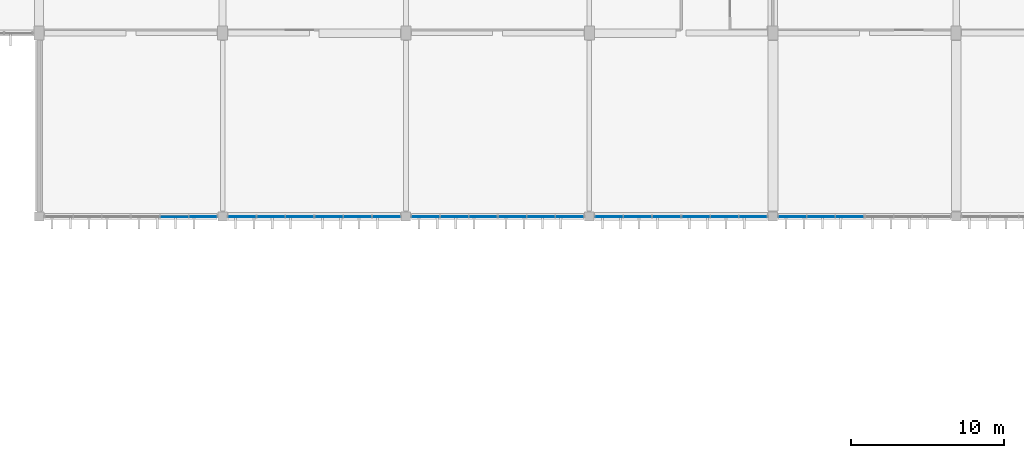
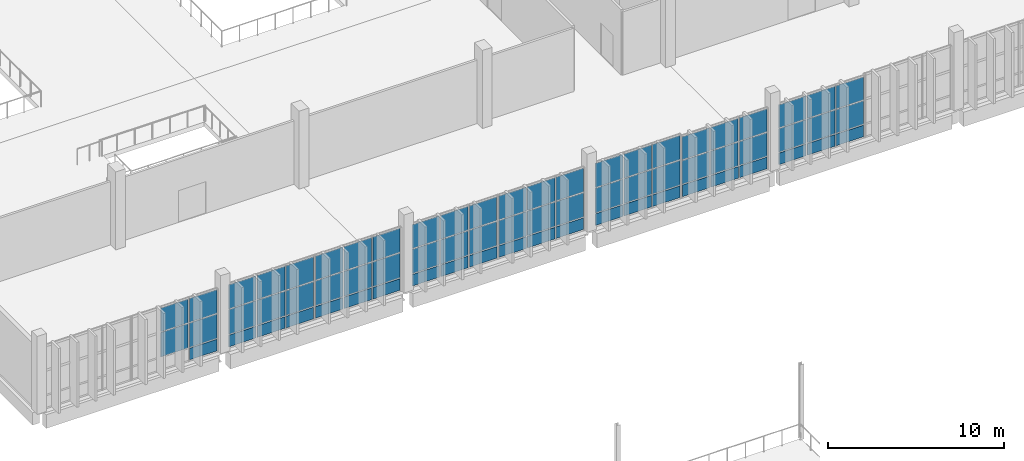
# One storey, part 62 of 112: 68 plates, 8 elements without a shape of their own.
"""IFC4 building model written with IfcOpenShell, lengths in metres."""

import ifcopenshell
import ifcopenshell.guid

model = None  # the IFC model being written
_history = None  # IfcOwnerHistory: only IFC2X3 demands one
_inside = {}  # id of a spatial element -> (the spatial element, [elements in it])
_under = {}  # id of a project, library or spatial element -> (it, [spatial elements below it])
_declared = {}  # id of a project -> (the project, [libraries it declares])
_typed = {}  # id of a type object -> (the type object, [elements of that type])
_made_of = {}  # id of a material, layer set ... -> (it, [elements and type objects made of it])


def new_model(schema):
    """Start an empty IFC model of exactly this schema.

    Asked for "IFC4X3", IfcOpenShell would pick the latest addendum, in which some entities
    have other attributes; the version numbers below select the first issue.
    IFC2X3 requires an IfcOwnerHistory on every rooted entity: one is made here for all.
    """
    global model, _history
    if schema == "IFC4X3":
        model = ifcopenshell.file(schema_version=(4, 3, 0, 0))
    else:
        model = ifcopenshell.file(schema=schema)
    _inside.clear()
    _under.clear()
    _declared.clear()
    _typed.clear()
    _made_of.clear()
    _history = None
    if model.schema == "IFC2X3":
        org = make("IfcOrganization", Name="unknown")
        user = make(
            "IfcPersonAndOrganization",
            ThePerson=make("IfcPerson", FamilyName="unknown"),
            TheOrganization=org,
        )
        app = make(
            "IfcApplication",
            ApplicationDeveloper=org,
            Version="unknown",
            ApplicationFullName="unknown",
            ApplicationIdentifier="unknown",
        )
        _history = make(
            "IfcOwnerHistory",
            OwningUser=user,
            OwningApplication=app,
            ChangeAction="ADDED",
            CreationDate=0,
        )
    return model


def make(cls, **values):
    """One entity of the class cls with the attributes given. An attribute that is None is left unset."""
    return model.create_entity(
        cls, **{name: value for name, value in values.items() if value is not None}
    )


def rooted(cls, **values):
    """An entity with a GlobalId (a new one), such as an element, a storey or a relation."""
    return make(cls, GlobalId=ifcopenshell.guid.new(), OwnerHistory=_history, **values)


def si_unit(unit_type, name, prefix=None):
    """IfcSIUnit, for example si_unit("LENGTHUNIT", "METRE", prefix="MILLI")."""
    return make("IfcSIUnit", UnitType=unit_type, Prefix=prefix, Name=name)


def assignment(units):
    """IfcUnitAssignment: the units of a project."""
    return None if units is None else make("IfcUnitAssignment", Units=units)


def point(xyz):
    """IfcCartesianPoint."""
    return None if xyz is None else make("IfcCartesianPoint", Coordinates=xyz)


def direction(xyz):
    """IfcDirection."""
    return None if xyz is None else make("IfcDirection", DirectionRatios=xyz)


def frame(location, z_axis=None, x_axis=None):
    """IfcAxis2Placement3D, a coordinate frame: its origin and axes. An axis left out is left unset."""
    return make(
        "IfcAxis2Placement3D",
        Location=point(location),
        Axis=direction(z_axis),
        RefDirection=direction(x_axis),
    )


def frame_2d(location, x_axis=None):
    """IfcAxis2Placement2D, a coordinate frame in the plane: its origin and x axis."""
    return make(
        "IfcAxis2Placement2D", Location=point(location), RefDirection=direction(x_axis)
    )


def origin():
    """The frame at (0, 0, 0) with its axes left unset."""
    return frame((0.0, 0.0, 0.0))


def origin_2d():
    """The frame at (0, 0) in the plane with its x axis left unset."""
    return frame_2d((0.0, 0.0))


def place(relative_to, where):
    """IfcLocalPlacement: puts the frame where relative to a parent placement (None: the world)."""
    return make(
        "IfcLocalPlacement", PlacementRelTo=relative_to, RelativePlacement=where
    )


def context(
    kind, dimensions, precision=None, world=None, true_north=None, identifier=None
):
    """IfcGeometricRepresentationContext, for example the 3D "Model" context."""
    return make(
        "IfcGeometricRepresentationContext",
        ContextIdentifier=identifier,
        ContextType=kind,
        CoordinateSpaceDimension=dimensions,
        Precision=precision,
        WorldCoordinateSystem=world,
        TrueNorth=true_north,
    )


def subcontext(parent, identifier, kind, view, scale=None):
    """IfcGeometricRepresentationSubContext, for example "Body" below "Model"."""
    return make(
        "IfcGeometricRepresentationSubContext",
        ContextIdentifier=identifier,
        ContextType=kind,
        ParentContext=parent,
        TargetScale=scale,
        TargetView=view,
    )


def project(units=None, contexts=None):
    """IfcProject with its units and contexts."""
    return rooted(
        "IfcProject",
        Name="project",
        RepresentationContexts=contexts,
        UnitsInContext=assignment(units),
    )


def spatial(cls, under=None, at=None, **own):
    """A site, building, storey or space (cls), placed at a placement, below another one or the project."""
    s = rooted(cls, ObjectPlacement=at, **own)
    if under is not None:
        _under.setdefault(under.id(), (under, []))[1].append(s)
    return s


def profile(cls, at=None, kind="AREA", **sizes):
    """A parametric profile (cls). Its sizes go by their IFC names, for example OverallWidth=200.0."""
    return make(cls, ProfileType=kind, Position=at, **sizes)


def rectangle(**sizes):
    """IfcRectangleProfileDef."""
    return profile("IfcRectangleProfileDef", **sizes)


def extrude(swept, where, along, depth):
    """IfcExtrudedAreaSolid: the profile swept, set in the frame where, extruded along a direction by depth."""
    return make(
        "IfcExtrudedAreaSolid",
        SweptArea=swept,
        Position=where,
        ExtrudedDirection=direction(along),
        Depth=depth,
    )


def shape(context_of_items, identifier, shape_type, items):
    """IfcShapeRepresentation: the items that make up one representation, for example the "Body"."""
    return make(
        "IfcShapeRepresentation",
        ContextOfItems=context_of_items,
        RepresentationIdentifier=identifier,
        RepresentationType=shape_type,
        Items=items,
    )


def material(Name=None, Category=None):
    """IfcMaterial."""
    return make("IfcMaterial", Name=Name, Category=Category)


def layer(
    of_material, thickness, ventilated=None, Name=None, Category=None, Priority=None
):
    """IfcMaterialLayer: one layer of a wall or slab, of a material (None: an air gap)."""
    return make(
        "IfcMaterialLayer",
        Material=of_material,
        LayerThickness=thickness,
        IsVentilated=ventilated,
        Name=Name,
        Category=Category,
        Priority=Priority,
    )


def layer_set(layers, Name=None):
    """IfcMaterialLayerSet."""
    return make("IfcMaterialLayerSet", MaterialLayers=layers, LayerSetName=Name)


def made_of(thing, what):
    """Note that an element or type object is made of a material, layer set ...; save() writes the relation."""
    if what is not None:
        _made_of.setdefault(what.id(), (what, []))[1].append(thing)
    return thing


def type_object(cls, material=None, **own):
    """A type object (cls), such as IfcWallType, which elements share."""
    return made_of(rooted(cls, **own), material)


def element(
    cls,
    number,
    at=None,
    inside=None,
    cuts=None,
    type_object=None,
    material=None,
    context=None,
    identifier="Body",
    shape_type=None,
    held_by="IfcProductDefinitionShape",
    body=None,
    shapes=None,
    **own,
):
    """One element of the class cls, such as IfcWall. Its Tag is "e" and its number.

    at: its placement. inside: the storey or other place that contains it. cuts: it is an
    opening in that element (IfcRelVoidsElement). A single representation is given by context,
    identifier, shape_type and body (its items); several are given by shapes. held_by: the class
    of the entity that holds the representations. save() writes the other relations.
    """
    e = rooted(cls, Tag="e%d" % number, ObjectPlacement=at, **own)
    if body is not None:
        shapes = [shape(context, identifier, shape_type, body)]
    if shapes is not None:
        e.Representation = make(held_by, Representations=shapes)
    if inside is not None:
        _inside.setdefault(inside.id(), (inside, []))[1].append(e)
    if cuts is not None:
        rooted(
            "IfcRelVoidsElement", RelatingBuildingElement=cuts, RelatedOpeningElement=e
        )
    if type_object is not None:
        _typed.setdefault(type_object.id(), (type_object, []))[1].append(e)
    return made_of(e, material)


def aggregate(whole, parts):
    """IfcRelAggregates: a whole, such as a stair, and the parts it consists of."""
    return rooted("IfcRelAggregates", RelatingObject=whole, RelatedObjects=parts)


def save(model, path):
    """Write the relations noted so far, then the file.

    IfcRelAggregates (storeys below a building ...), IfcRelContainedInSpatialStructure (elements
    in a storey), IfcRelDefinesByType, IfcRelAssociatesMaterial and IfcRelDeclares: one each for
    every whole, place, type object, material and project.
    """
    for whole, parts in _under.values():
        aggregate(whole, parts)
    for where, things in _inside.values():
        rooted(
            "IfcRelContainedInSpatialStructure",
            RelatedElements=things,
            RelatingStructure=where,
        )
    for kind, things in _typed.values():
        rooted("IfcRelDefinesByType", RelatedObjects=things, RelatingType=kind)
    for what, things in _made_of.values():
        rooted("IfcRelAssociatesMaterial", RelatedObjects=things, RelatingMaterial=what)
    for by, libraries in _declared.values():
        rooted("IfcRelDeclares", RelatingContext=by, RelatedDefinitions=libraries)
    model.write(path)


model = new_model("IFC4")

# Units and contexts
model_context = context("Model", 3, precision=1e-05, world=origin(), true_north=direction((0.0, 1.0)))
body_context = subcontext(model_context, "Body", "Model", "MODEL_VIEW")
ifc_project = project(units=[si_unit("LENGTHUNIT", "METRE"), si_unit("AREAUNIT", "SQUARE_METRE"), si_unit("VOLUMEUNIT", "CUBIC_METRE"), si_unit("PLANEANGLEUNIT", "RADIAN"), si_unit("MASSUNIT", "GRAM", prefix="KILO")], contexts=[model_context])

# Site, building, storey
site_placement = place(None, origin())
site = spatial("IfcSite", under=ifc_project, at=site_placement, CompositionType="ELEMENT")
building_placement = place(site_placement, origin())
building = spatial("IfcBuilding", under=site, at=building_placement, Name="Kamomehara Wholesale Market", CompositionType="ELEMENT")
storey_placement = place(building_placement, frame((0.0, 0.0, 6.60009765625)))
storey = spatial("IfcBuildingStorey", under=building, at=storey_placement, Name="L01", CompositionType="ELEMENT", Elevation=6.60009765625)

# Curtain wall, plates
ifc_material_1 = material(Name="Anodised aluminium 6063-T5", Category="aluminium")
curtain_wall_type = type_object("IfcCurtainWallType", Name="CW-UN-02", PredefinedType="NOTDEFINED", material=ifc_material_1)
curtain_wall_1_placement = place(storey_placement, origin())
curtain_wall_1 = element("IfcCurtainWall", 1, at=curtain_wall_1_placement, inside=storey, type_object=curtain_wall_type, Name="Unitised curtain wall CW-063", PredefinedType="NOTDEFINED")
ifc_material_2 = material(Name="Solar-control Low-E double glazing", Category="glass")
ifc_layer_1 = layer(ifc_material_2, 0.028076171875)
ifc_layer_set_1 = layer_set([ifc_layer_1], Name="Solar-control Low-E double glazing")
plate_type_1 = type_object("IfcPlateType", Name="CW-PNL-GLZ", PredefinedType="CURTAIN_PANEL", material=ifc_layer_set_1)
plate_1_placement = place(storey_placement, frame((82.712890625, 95.97998046875, 0.93017578125), z_axis=(0.0, 0.0, 1.0), x_axis=(-1.0, 0.0, 0.0)))
plate_1 = element("IfcPlate", 2, at=plate_1_placement, type_object=plate_type_1, Name="Curtain panel CW-063.0.1", PredefinedType="CURTAIN_PANEL", context=body_context, shape_type="SweptSolid", body=[
    extrude(rectangle(XDim=1.79296875, YDim=0.028076171875, at=origin_2d()), origin(), (0.0, 0.0, 1.0), 1.679931640625),
])
plate_2_placement = place(storey_placement, frame((82.712890625, 95.97998046875, 2.669921875), z_axis=(0.0, 0.0, 1.0), x_axis=(-1.0, 0.0, 0.0)))
plate_2 = element("IfcPlate", 3, at=plate_2_placement, type_object=plate_type_1, Name="Curtain panel CW-063.0.2", PredefinedType="CURTAIN_PANEL", context=body_context, shape_type="SweptSolid", body=[
    extrude(rectangle(XDim=1.79296875, YDim=0.028076171875, at=origin_2d()), origin(), (0.0, 0.0, 1.0), 1.639892578125),
])
plate_3_placement = place(storey_placement, frame((80.840087890625, 95.97998046875, 0.93017578125), z_axis=(0.0, 0.0, 1.0), x_axis=(-1.0, 0.0, 0.0)))
plate_3 = element("IfcPlate", 4, at=plate_3_placement, type_object=plate_type_1, Name="Curtain panel CW-063.1.1", PredefinedType="CURTAIN_PANEL", context=body_context, shape_type="SweptSolid", body=[
    extrude(rectangle(XDim=1.79296875, YDim=0.028076171875, at=origin_2d()), origin(), (0.0, 0.0, 1.0), 1.679931640625),
])
plate_4_placement = place(storey_placement, frame((80.840087890625, 95.97998046875, 2.669921875), z_axis=(0.0, 0.0, 1.0), x_axis=(-1.0, 0.0, 0.0)))
plate_4 = element("IfcPlate", 5, at=plate_4_placement, type_object=plate_type_1, Name="Curtain panel CW-063.1.2", PredefinedType="CURTAIN_PANEL", context=body_context, shape_type="SweptSolid", body=[
    extrude(rectangle(XDim=1.79296875, YDim=0.028076171875, at=origin_2d()), origin(), (0.0, 0.0, 1.0), 1.639892578125),
])

curtain_wall_2_placement = place(storey_placement, origin())
curtain_wall_2 = element("IfcCurtainWall", 6, at=curtain_wall_2_placement, inside=storey, type_object=curtain_wall_type, Name="Unitised curtain wall CW-067", PredefinedType="NOTDEFINED")
plate_5_placement = place(storey_placement, frame((94.712890625, 95.97998046875, 0.930419921875), z_axis=(0.0, 0.0, 1.0), x_axis=(-1.0, 0.0, 0.0)))
plate_5 = element("IfcPlate", 7, at=plate_5_placement, type_object=plate_type_1, Name="Curtain panel CW-067.0.1", PredefinedType="CURTAIN_PANEL", context=body_context, shape_type="SweptSolid", body=[
    extrude(rectangle(XDim=1.79296875, YDim=0.028076171875, at=origin_2d()), origin(), (0.0, 0.0, 1.0), 1.705078125),
])
plate_6_placement = place(storey_placement, frame((94.712890625, 95.97998046875, 2.6953125), z_axis=(0.0, 0.0, 1.0), x_axis=(-1.0, 0.0, 0.0)))
plate_6 = element("IfcPlate", 8, at=plate_6_placement, type_object=plate_type_1, Name="Curtain panel CW-067.0.2", PredefinedType="CURTAIN_PANEL", context=body_context, shape_type="SweptSolid", body=[
    extrude(rectangle(XDim=1.79296875, YDim=0.028076171875, at=origin_2d()), origin(), (0.0, 0.0, 1.0), 1.6650390625),
])
plate_7_placement = place(storey_placement, frame((92.840087890625, 95.97998046875, 0.930419921875), z_axis=(0.0, 0.0, 1.0), x_axis=(-1.0, 0.0, 0.0)))
plate_7 = element("IfcPlate", 9, at=plate_7_placement, type_object=plate_type_1, Name="Curtain panel CW-067.1.1", PredefinedType="CURTAIN_PANEL", context=body_context, shape_type="SweptSolid", body=[
    extrude(rectangle(XDim=1.79296875, YDim=0.028076171875, at=origin_2d()), origin(), (0.0, 0.0, 1.0), 1.705078125),
])
plate_8_placement = place(storey_placement, frame((92.840087890625, 95.97998046875, 2.6953125), z_axis=(0.0, 0.0, 1.0), x_axis=(-1.0, 0.0, 0.0)))
plate_8 = element("IfcPlate", 10, at=plate_8_placement, type_object=plate_type_1, Name="Curtain panel CW-067.1.2", PredefinedType="CURTAIN_PANEL", context=body_context, shape_type="SweptSolid", body=[
    extrude(rectangle(XDim=1.79296875, YDim=0.028076171875, at=origin_2d()), origin(), (0.0, 0.0, 1.0), 1.6650390625),
])
plate_9_placement = place(storey_placement, frame((90.967041015625, 95.97998046875, 0.930419921875), z_axis=(0.0, 0.0, 1.0), x_axis=(-1.0, 0.0, 0.0)))
plate_9 = element("IfcPlate", 11, at=plate_9_placement, type_object=plate_type_1, Name="Curtain panel CW-067.2.1", PredefinedType="CURTAIN_PANEL", context=body_context, shape_type="SweptSolid", body=[
    extrude(rectangle(XDim=1.79296875, YDim=0.028076171875, at=origin_2d()), origin(), (0.0, 0.0, 1.0), 1.705078125),
])
plate_10_placement = place(storey_placement, frame((90.967041015625, 95.97998046875, 2.6953125), z_axis=(0.0, 0.0, 1.0), x_axis=(-1.0, 0.0, 0.0)))
plate_10 = element("IfcPlate", 12, at=plate_10_placement, type_object=plate_type_1, Name="Curtain panel CW-067.2.2", PredefinedType="CURTAIN_PANEL", context=body_context, shape_type="SweptSolid", body=[
    extrude(rectangle(XDim=1.79296875, YDim=0.028076171875, at=origin_2d()), origin(), (0.0, 0.0, 1.0), 1.6650390625),
])

curtain_wall_3_placement = place(storey_placement, origin())
curtain_wall_3 = element("IfcCurtainWall", 13, at=curtain_wall_3_placement, inside=storey, type_object=curtain_wall_type, Name="Unitised curtain wall CW-068", PredefinedType="NOTDEFINED")
plate_11_placement = place(storey_placement, frame((89.032958984375, 95.97998046875, 0.930419921875), z_axis=(0.0, 0.0, 1.0), x_axis=(-1.0, 0.0, 0.0)))
plate_11 = element("IfcPlate", 14, at=plate_11_placement, type_object=plate_type_1, Name="Curtain panel CW-068.0.1", PredefinedType="CURTAIN_PANEL", context=body_context, shape_type="SweptSolid", body=[
    extrude(rectangle(XDim=1.79296875, YDim=0.028076171875, at=origin_2d()), origin(), (0.0, 0.0, 1.0), 1.705078125),
])
plate_12_placement = place(storey_placement, frame((89.032958984375, 95.97998046875, 2.6953125), z_axis=(0.0, 0.0, 1.0), x_axis=(-1.0, 0.0, 0.0)))
plate_12 = element("IfcPlate", 15, at=plate_12_placement, type_object=plate_type_1, Name="Curtain panel CW-068.0.2", PredefinedType="CURTAIN_PANEL", context=body_context, shape_type="SweptSolid", body=[
    extrude(rectangle(XDim=1.79296875, YDim=0.028076171875, at=origin_2d()), origin(), (0.0, 0.0, 1.0), 1.6650390625),
])
plate_13_placement = place(storey_placement, frame((87.159912109375, 95.97998046875, 0.930419921875), z_axis=(0.0, 0.0, 1.0), x_axis=(-1.0, 0.0, 0.0)))
plate_13 = element("IfcPlate", 16, at=plate_13_placement, type_object=plate_type_1, Name="Curtain panel CW-068.1.1", PredefinedType="CURTAIN_PANEL", context=body_context, shape_type="SweptSolid", body=[
    extrude(rectangle(XDim=1.79296875, YDim=0.028076171875, at=origin_2d()), origin(), (0.0, 0.0, 1.0), 1.705078125),
])
plate_14_placement = place(storey_placement, frame((87.159912109375, 95.97998046875, 2.6953125), z_axis=(0.0, 0.0, 1.0), x_axis=(-1.0, 0.0, 0.0)))
plate_14 = element("IfcPlate", 17, at=plate_14_placement, type_object=plate_type_1, Name="Curtain panel CW-068.1.2", PredefinedType="CURTAIN_PANEL", context=body_context, shape_type="SweptSolid", body=[
    extrude(rectangle(XDim=1.79296875, YDim=0.028076171875, at=origin_2d()), origin(), (0.0, 0.0, 1.0), 1.6650390625),
])
plate_15_placement = place(storey_placement, frame((85.287109375, 95.97998046875, 0.930419921875), z_axis=(0.0, 0.0, 1.0), x_axis=(-1.0, 0.0, 0.0)))
plate_15 = element("IfcPlate", 18, at=plate_15_placement, type_object=plate_type_1, Name="Curtain panel CW-068.2.1", PredefinedType="CURTAIN_PANEL", context=body_context, shape_type="SweptSolid", body=[
    extrude(rectangle(XDim=1.79296875, YDim=0.028076171875, at=origin_2d()), origin(), (0.0, 0.0, 1.0), 1.705078125),
])
plate_16_placement = place(storey_placement, frame((85.287109375, 95.97998046875, 2.6953125), z_axis=(0.0, 0.0, 1.0), x_axis=(-1.0, 0.0, 0.0)))
plate_16 = element("IfcPlate", 19, at=plate_16_placement, type_object=plate_type_1, Name="Curtain panel CW-068.2.2", PredefinedType="CURTAIN_PANEL", context=body_context, shape_type="SweptSolid", body=[
    extrude(rectangle(XDim=1.79296875, YDim=0.028076171875, at=origin_2d()), origin(), (0.0, 0.0, 1.0), 1.6650390625),
])

curtain_wall_4_placement = place(storey_placement, origin())
curtain_wall_4 = element("IfcCurtainWall", 20, at=curtain_wall_4_placement, inside=storey, type_object=curtain_wall_type, Name="Unitised curtain wall CW-071", PredefinedType="NOTDEFINED")
plate_17_placement = place(storey_placement, frame((106.712890625, 95.97998046875, 0.93017578125), z_axis=(0.0, 0.0, 1.0), x_axis=(-1.0, 0.0, 0.0)))
plate_17 = element("IfcPlate", 21, at=plate_17_placement, type_object=plate_type_1, Name="Curtain panel CW-071.0.1", PredefinedType="CURTAIN_PANEL", context=body_context, shape_type="SweptSolid", body=[
    extrude(rectangle(XDim=1.79296875, YDim=0.028076171875, at=origin_2d()), origin(), (0.0, 0.0, 1.0), 1.679931640625),
])
plate_18_placement = place(storey_placement, frame((106.712890625, 95.97998046875, 2.669921875), z_axis=(0.0, 0.0, 1.0), x_axis=(-1.0, 0.0, 0.0)))
plate_18 = element("IfcPlate", 22, at=plate_18_placement, type_object=plate_type_1, Name="Curtain panel CW-071.0.2", PredefinedType="CURTAIN_PANEL", context=body_context, shape_type="SweptSolid", body=[
    extrude(rectangle(XDim=1.79296875, YDim=0.028076171875, at=origin_2d()), origin(), (0.0, 0.0, 1.0), 1.639892578125),
])
plate_19_placement = place(storey_placement, frame((104.840087890625, 95.97998046875, 0.93017578125), z_axis=(0.0, 0.0, 1.0), x_axis=(-1.0, 0.0, 0.0)))
plate_19 = element("IfcPlate", 23, at=plate_19_placement, type_object=plate_type_1, Name="Curtain panel CW-071.1.1", PredefinedType="CURTAIN_PANEL", context=body_context, shape_type="SweptSolid", body=[
    extrude(rectangle(XDim=1.79296875, YDim=0.028076171875, at=origin_2d()), origin(), (0.0, 0.0, 1.0), 1.679931640625),
])
plate_20_placement = place(storey_placement, frame((104.840087890625, 95.97998046875, 2.669921875), z_axis=(0.0, 0.0, 1.0), x_axis=(-1.0, 0.0, 0.0)))
plate_20 = element("IfcPlate", 24, at=plate_20_placement, type_object=plate_type_1, Name="Curtain panel CW-071.1.2", PredefinedType="CURTAIN_PANEL", context=body_context, shape_type="SweptSolid", body=[
    extrude(rectangle(XDim=1.79296875, YDim=0.028076171875, at=origin_2d()), origin(), (0.0, 0.0, 1.0), 1.639892578125),
])
plate_21_placement = place(storey_placement, frame((102.967041015625, 95.97998046875, 0.93017578125), z_axis=(0.0, 0.0, 1.0), x_axis=(-1.0, 0.0, 0.0)))
plate_21 = element("IfcPlate", 25, at=plate_21_placement, type_object=plate_type_1, Name="Curtain panel CW-071.2.1", PredefinedType="CURTAIN_PANEL", context=body_context, shape_type="SweptSolid", body=[
    extrude(rectangle(XDim=1.79296875, YDim=0.028076171875, at=origin_2d()), origin(), (0.0, 0.0, 1.0), 1.679931640625),
])
plate_22_placement = place(storey_placement, frame((102.967041015625, 95.97998046875, 2.669921875), z_axis=(0.0, 0.0, 1.0), x_axis=(-1.0, 0.0, 0.0)))
plate_22 = element("IfcPlate", 26, at=plate_22_placement, type_object=plate_type_1, Name="Curtain panel CW-071.2.2", PredefinedType="CURTAIN_PANEL", context=body_context, shape_type="SweptSolid", body=[
    extrude(rectangle(XDim=1.79296875, YDim=0.028076171875, at=origin_2d()), origin(), (0.0, 0.0, 1.0), 1.639892578125),
])

curtain_wall_5_placement = place(storey_placement, origin())
curtain_wall_5 = element("IfcCurtainWall", 27, at=curtain_wall_5_placement, inside=storey, type_object=curtain_wall_type, Name="Unitised curtain wall CW-072", PredefinedType="NOTDEFINED")
plate_23_placement = place(storey_placement, frame((101.032958984375, 95.97998046875, 0.93017578125), z_axis=(0.0, 0.0, 1.0), x_axis=(-1.0, 0.0, 0.0)))
plate_23 = element("IfcPlate", 28, at=plate_23_placement, type_object=plate_type_1, Name="Curtain panel CW-072.0.1", PredefinedType="CURTAIN_PANEL", context=body_context, shape_type="SweptSolid", body=[
    extrude(rectangle(XDim=1.79296875, YDim=0.028076171875, at=origin_2d()), origin(), (0.0, 0.0, 1.0), 1.679931640625),
])
plate_24_placement = place(storey_placement, frame((101.032958984375, 95.97998046875, 2.669921875), z_axis=(0.0, 0.0, 1.0), x_axis=(-1.0, 0.0, 0.0)))
plate_24 = element("IfcPlate", 29, at=plate_24_placement, type_object=plate_type_1, Name="Curtain panel CW-072.0.2", PredefinedType="CURTAIN_PANEL", context=body_context, shape_type="SweptSolid", body=[
    extrude(rectangle(XDim=1.79296875, YDim=0.028076171875, at=origin_2d()), origin(), (0.0, 0.0, 1.0), 1.639892578125),
])
plate_25_placement = place(storey_placement, frame((99.159912109375, 95.97998046875, 0.93017578125), z_axis=(0.0, 0.0, 1.0), x_axis=(-1.0, 0.0, 0.0)))
plate_25 = element("IfcPlate", 30, at=plate_25_placement, type_object=plate_type_1, Name="Curtain panel CW-072.1.1", PredefinedType="CURTAIN_PANEL", context=body_context, shape_type="SweptSolid", body=[
    extrude(rectangle(XDim=1.79296875, YDim=0.028076171875, at=origin_2d()), origin(), (0.0, 0.0, 1.0), 1.679931640625),
])
plate_26_placement = place(storey_placement, frame((99.159912109375, 95.97998046875, 2.669921875), z_axis=(0.0, 0.0, 1.0), x_axis=(-1.0, 0.0, 0.0)))
plate_26 = element("IfcPlate", 31, at=plate_26_placement, type_object=plate_type_1, Name="Curtain panel CW-072.1.2", PredefinedType="CURTAIN_PANEL", context=body_context, shape_type="SweptSolid", body=[
    extrude(rectangle(XDim=1.79296875, YDim=0.028076171875, at=origin_2d()), origin(), (0.0, 0.0, 1.0), 1.639892578125),
])
plate_27_placement = place(storey_placement, frame((97.287109375, 95.97998046875, 0.93017578125), z_axis=(0.0, 0.0, 1.0), x_axis=(-1.0, 0.0, 0.0)))
plate_27 = element("IfcPlate", 32, at=plate_27_placement, type_object=plate_type_1, Name="Curtain panel CW-072.2.1", PredefinedType="CURTAIN_PANEL", context=body_context, shape_type="SweptSolid", body=[
    extrude(rectangle(XDim=1.79296875, YDim=0.028076171875, at=origin_2d()), origin(), (0.0, 0.0, 1.0), 1.679931640625),
])
plate_28_placement = place(storey_placement, frame((97.287109375, 95.97998046875, 2.669921875), z_axis=(0.0, 0.0, 1.0), x_axis=(-1.0, 0.0, 0.0)))
plate_28 = element("IfcPlate", 33, at=plate_28_placement, type_object=plate_type_1, Name="Curtain panel CW-072.2.2", PredefinedType="CURTAIN_PANEL", context=body_context, shape_type="SweptSolid", body=[
    extrude(rectangle(XDim=1.79296875, YDim=0.028076171875, at=origin_2d()), origin(), (0.0, 0.0, 1.0), 1.639892578125),
])

curtain_wall_6_placement = place(storey_placement, origin())
curtain_wall_6 = element("IfcCurtainWall", 34, at=curtain_wall_6_placement, inside=storey, type_object=curtain_wall_type, Name="Unitised curtain wall CW-075", PredefinedType="NOTDEFINED")
plate_29_placement = place(storey_placement, frame((118.712890625, 95.97998046875, 0.929931640625), z_axis=(0.0, 0.0, 1.0), x_axis=(-1.0, 0.0, 0.0)))
plate_29 = element("IfcPlate", 35, at=plate_29_placement, type_object=plate_type_1, Name="Curtain panel CW-075.0.1", PredefinedType="CURTAIN_PANEL", context=body_context, shape_type="SweptSolid", body=[
    extrude(rectangle(XDim=1.79296875, YDim=0.028076171875, at=origin_2d()), origin(), (0.0, 0.0, 1.0), 1.6298828125),
])
plate_30_placement = place(storey_placement, frame((118.712890625, 95.97998046875, 2.61962890625), z_axis=(0.0, 0.0, 1.0), x_axis=(-1.0, 0.0, 0.0)))
plate_30 = element("IfcPlate", 36, at=plate_30_placement, type_object=plate_type_1, Name="Curtain panel CW-075.0.2", PredefinedType="CURTAIN_PANEL", context=body_context, shape_type="SweptSolid", body=[
    extrude(rectangle(XDim=1.79296875, YDim=0.028076171875, at=origin_2d()), origin(), (0.0, 0.0, 1.0), 1.590087890625),
])
plate_31_placement = place(storey_placement, frame((116.840087890625, 95.97998046875, 0.929931640625), z_axis=(0.0, 0.0, 1.0), x_axis=(-1.0, 0.0, 0.0)))
plate_31 = element("IfcPlate", 37, at=plate_31_placement, type_object=plate_type_1, Name="Curtain panel CW-075.1.1", PredefinedType="CURTAIN_PANEL", context=body_context, shape_type="SweptSolid", body=[
    extrude(rectangle(XDim=1.79296875, YDim=0.028076171875, at=origin_2d()), origin(), (0.0, 0.0, 1.0), 1.6298828125),
])
plate_32_placement = place(storey_placement, frame((116.840087890625, 95.97998046875, 2.61962890625), z_axis=(0.0, 0.0, 1.0), x_axis=(-1.0, 0.0, 0.0)))
plate_32 = element("IfcPlate", 38, at=plate_32_placement, type_object=plate_type_1, Name="Curtain panel CW-075.1.2", PredefinedType="CURTAIN_PANEL", context=body_context, shape_type="SweptSolid", body=[
    extrude(rectangle(XDim=1.79296875, YDim=0.028076171875, at=origin_2d()), origin(), (0.0, 0.0, 1.0), 1.590087890625),
])
plate_33_placement = place(storey_placement, frame((114.967041015625, 95.97998046875, 0.929931640625), z_axis=(0.0, 0.0, 1.0), x_axis=(-1.0, 0.0, 0.0)))
plate_33 = element("IfcPlate", 39, at=plate_33_placement, type_object=plate_type_1, Name="Curtain panel CW-075.2.1", PredefinedType="CURTAIN_PANEL", context=body_context, shape_type="SweptSolid", body=[
    extrude(rectangle(XDim=1.79296875, YDim=0.028076171875, at=origin_2d()), origin(), (0.0, 0.0, 1.0), 1.6298828125),
])
plate_34_placement = place(storey_placement, frame((114.967041015625, 95.97998046875, 2.61962890625), z_axis=(0.0, 0.0, 1.0), x_axis=(-1.0, 0.0, 0.0)))
plate_34 = element("IfcPlate", 40, at=plate_34_placement, type_object=plate_type_1, Name="Curtain panel CW-075.2.2", PredefinedType="CURTAIN_PANEL", context=body_context, shape_type="SweptSolid", body=[
    extrude(rectangle(XDim=1.79296875, YDim=0.028076171875, at=origin_2d()), origin(), (0.0, 0.0, 1.0), 1.590087890625),
])

curtain_wall_7_placement = place(storey_placement, origin())
curtain_wall_7 = element("IfcCurtainWall", 41, at=curtain_wall_7_placement, inside=storey, type_object=curtain_wall_type, Name="Unitised curtain wall CW-076", PredefinedType="NOTDEFINED")
plate_35_placement = place(storey_placement, frame((113.032958984375, 95.97998046875, 0.930419921875), z_axis=(0.0, 0.0, 1.0), x_axis=(-1.0, 0.0, 0.0)))
plate_35 = element("IfcPlate", 42, at=plate_35_placement, type_object=plate_type_1, Name="Curtain panel CW-076.0.1", PredefinedType="CURTAIN_PANEL", context=body_context, shape_type="SweptSolid", body=[
    extrude(rectangle(XDim=1.79296875, YDim=0.028076171875, at=origin_2d()), origin(), (0.0, 0.0, 1.0), 1.705078125),
])
plate_36_placement = place(storey_placement, frame((113.032958984375, 95.97998046875, 2.6953125), z_axis=(0.0, 0.0, 1.0), x_axis=(-1.0, 0.0, 0.0)))
plate_36 = element("IfcPlate", 43, at=plate_36_placement, type_object=plate_type_1, Name="Curtain panel CW-076.0.2", PredefinedType="CURTAIN_PANEL", context=body_context, shape_type="SweptSolid", body=[
    extrude(rectangle(XDim=1.79296875, YDim=0.028076171875, at=origin_2d()), origin(), (0.0, 0.0, 1.0), 1.6650390625),
])
plate_37_placement = place(storey_placement, frame((111.159912109375, 95.97998046875, 0.930419921875), z_axis=(0.0, 0.0, 1.0), x_axis=(-1.0, 0.0, 0.0)))
plate_37 = element("IfcPlate", 44, at=plate_37_placement, type_object=plate_type_1, Name="Curtain panel CW-076.1.1", PredefinedType="CURTAIN_PANEL", context=body_context, shape_type="SweptSolid", body=[
    extrude(rectangle(XDim=1.79296875, YDim=0.028076171875, at=origin_2d()), origin(), (0.0, 0.0, 1.0), 1.705078125),
])
plate_38_placement = place(storey_placement, frame((111.159912109375, 95.97998046875, 2.6953125), z_axis=(0.0, 0.0, 1.0), x_axis=(-1.0, 0.0, 0.0)))
plate_38 = element("IfcPlate", 45, at=plate_38_placement, type_object=plate_type_1, Name="Curtain panel CW-076.1.2", PredefinedType="CURTAIN_PANEL", context=body_context, shape_type="SweptSolid", body=[
    extrude(rectangle(XDim=1.79296875, YDim=0.028076171875, at=origin_2d()), origin(), (0.0, 0.0, 1.0), 1.6650390625),
])
plate_39_placement = place(storey_placement, frame((109.287109375, 95.97998046875, 0.930419921875), z_axis=(0.0, 0.0, 1.0), x_axis=(-1.0, 0.0, 0.0)))
plate_39 = element("IfcPlate", 46, at=plate_39_placement, type_object=plate_type_1, Name="Curtain panel CW-076.2.1", PredefinedType="CURTAIN_PANEL", context=body_context, shape_type="SweptSolid", body=[
    extrude(rectangle(XDim=1.79296875, YDim=0.028076171875, at=origin_2d()), origin(), (0.0, 0.0, 1.0), 1.705078125),
])
plate_40_placement = place(storey_placement, frame((109.287109375, 95.97998046875, 2.6953125), z_axis=(0.0, 0.0, 1.0), x_axis=(-1.0, 0.0, 0.0)))
plate_40 = element("IfcPlate", 47, at=plate_40_placement, type_object=plate_type_1, Name="Curtain panel CW-076.2.2", PredefinedType="CURTAIN_PANEL", context=body_context, shape_type="SweptSolid", body=[
    extrude(rectangle(XDim=1.79296875, YDim=0.028076171875, at=origin_2d()), origin(), (0.0, 0.0, 1.0), 1.6650390625),
])

curtain_wall_8_placement = place(storey_placement, origin())
curtain_wall_8 = element("IfcCurtainWall", 48, at=curtain_wall_8_placement, inside=storey, type_object=curtain_wall_type, Name="Unitised curtain wall CW-080", PredefinedType="NOTDEFINED")
plate_41_placement = place(storey_placement, frame((125.032958984375, 95.97998046875, 0.929931640625), z_axis=(0.0, 0.0, 1.0), x_axis=(-1.0, 0.0, 0.0)))
plate_41 = element("IfcPlate", 49, at=plate_41_placement, type_object=plate_type_1, Name="Curtain panel CW-080.0.1", PredefinedType="CURTAIN_PANEL", context=body_context, shape_type="SweptSolid", body=[
    extrude(rectangle(XDim=1.79296875, YDim=0.028076171875, at=origin_2d()), origin(), (0.0, 0.0, 1.0), 1.6298828125),
])
plate_42_placement = place(storey_placement, frame((125.032958984375, 95.97998046875, 2.61962890625), z_axis=(0.0, 0.0, 1.0), x_axis=(-1.0, 0.0, 0.0)))
plate_42 = element("IfcPlate", 50, at=plate_42_placement, type_object=plate_type_1, Name="Curtain panel CW-080.0.2", PredefinedType="CURTAIN_PANEL", context=body_context, shape_type="SweptSolid", body=[
    extrude(rectangle(XDim=1.79296875, YDim=0.028076171875, at=origin_2d()), origin(), (0.0, 0.0, 1.0), 1.590087890625),
])
plate_43_placement = place(storey_placement, frame((123.159912109375, 95.97998046875, 0.929931640625), z_axis=(0.0, 0.0, 1.0), x_axis=(-1.0, 0.0, 0.0)))
plate_43 = element("IfcPlate", 51, at=plate_43_placement, type_object=plate_type_1, Name="Curtain panel CW-080.1.1", PredefinedType="CURTAIN_PANEL", context=body_context, shape_type="SweptSolid", body=[
    extrude(rectangle(XDim=1.79296875, YDim=0.028076171875, at=origin_2d()), origin(), (0.0, 0.0, 1.0), 1.6298828125),
])
plate_44_placement = place(storey_placement, frame((123.159912109375, 95.97998046875, 2.61962890625), z_axis=(0.0, 0.0, 1.0), x_axis=(-1.0, 0.0, 0.0)))
plate_44 = element("IfcPlate", 52, at=plate_44_placement, type_object=plate_type_1, Name="Curtain panel CW-080.1.2", PredefinedType="CURTAIN_PANEL", context=body_context, shape_type="SweptSolid", body=[
    extrude(rectangle(XDim=1.79296875, YDim=0.028076171875, at=origin_2d()), origin(), (0.0, 0.0, 1.0), 1.590087890625),
])
plate_45_placement = place(storey_placement, frame((121.287109375, 95.97998046875, 0.929931640625), z_axis=(0.0, 0.0, 1.0), x_axis=(-1.0, 0.0, 0.0)))
plate_45 = element("IfcPlate", 53, at=plate_45_placement, type_object=plate_type_1, Name="Curtain panel CW-080.2.1", PredefinedType="CURTAIN_PANEL", context=body_context, shape_type="SweptSolid", body=[
    extrude(rectangle(XDim=1.79296875, YDim=0.028076171875, at=origin_2d()), origin(), (0.0, 0.0, 1.0), 1.6298828125),
])
plate_46_placement = place(storey_placement, frame((121.287109375, 95.97998046875, 2.61962890625), z_axis=(0.0, 0.0, 1.0), x_axis=(-1.0, 0.0, 0.0)))
plate_46 = element("IfcPlate", 54, at=plate_46_placement, type_object=plate_type_1, Name="Curtain panel CW-080.2.2", PredefinedType="CURTAIN_PANEL", context=body_context, shape_type="SweptSolid", body=[
    extrude(rectangle(XDim=1.79296875, YDim=0.028076171875, at=origin_2d()), origin(), (0.0, 0.0, 1.0), 1.590087890625),
])

# Plate
ifc_material_3 = material(Name="Insulated aluminium spandrel panel", Category="aluminium")
ifc_layer_2 = layer(ifc_material_3, 0.0400390625)
ifc_layer_set_2 = layer_set([ifc_layer_2], Name="Insulated aluminium spandrel panel")
plate_type_2 = type_object("IfcPlateType", Name="CW-PNL-SPN", PredefinedType="CURTAIN_PANEL", material=ifc_layer_set_2)
plate_47_placement = place(storey_placement, frame((82.712890625, 95.97998046875, 0.06982421875), z_axis=(0.0, 0.0, 1.0), x_axis=(-1.0, 0.0, 0.0)))
plate_47 = element("IfcPlate", 55, at=plate_47_placement, type_object=plate_type_2, Name="Curtain panel CW-063.0.0", PredefinedType="CURTAIN_PANEL", context=body_context, shape_type="SweptSolid", body=[
    extrude(rectangle(XDim=1.79296875, YDim=0.0400390625, at=origin_2d()), origin(), (0.0, 0.0, 1.0), 0.800048828125),
])

aggregate(curtain_wall_1, [plate_47, plate_1, plate_2, plate_3, plate_4])

plate_48_placement = place(storey_placement, frame((94.712890625, 95.97998046875, 0.06982421875), z_axis=(0.0, 0.0, 1.0), x_axis=(-1.0, 0.0, 0.0)))
plate_48 = element("IfcPlate", 56, at=plate_48_placement, type_object=plate_type_2, Name="Curtain panel CW-067.0.0", PredefinedType="CURTAIN_PANEL", context=body_context, shape_type="SweptSolid", body=[
    extrude(rectangle(XDim=1.79296875, YDim=0.0400390625, at=origin_2d()), origin(), (0.0, 0.0, 1.0), 0.800048828125),
])

plate_49_placement = place(storey_placement, frame((92.840087890625, 95.97998046875, 0.06982421875), z_axis=(0.0, 0.0, 1.0), x_axis=(-1.0, 0.0, 0.0)))
plate_49 = element("IfcPlate", 57, at=plate_49_placement, type_object=plate_type_2, Name="Curtain panel CW-067.1.0", PredefinedType="CURTAIN_PANEL", context=body_context, shape_type="SweptSolid", body=[
    extrude(rectangle(XDim=1.79296875, YDim=0.0400390625, at=origin_2d()), origin(), (0.0, 0.0, 1.0), 0.800048828125),
])

plate_50_placement = place(storey_placement, frame((90.967041015625, 95.97998046875, 0.06982421875), z_axis=(0.0, 0.0, 1.0), x_axis=(-1.0, 0.0, 0.0)))
plate_50 = element("IfcPlate", 58, at=plate_50_placement, type_object=plate_type_2, Name="Curtain panel CW-067.2.0", PredefinedType="CURTAIN_PANEL", context=body_context, shape_type="SweptSolid", body=[
    extrude(rectangle(XDim=1.79296875, YDim=0.0400390625, at=origin_2d()), origin(), (0.0, 0.0, 1.0), 0.800048828125),
])

aggregate(curtain_wall_2, [plate_48, plate_5, plate_6, plate_49, plate_7, plate_8, plate_50, plate_9, plate_10])

plate_51_placement = place(storey_placement, frame((89.032958984375, 95.97998046875, 0.06982421875), z_axis=(0.0, 0.0, 1.0), x_axis=(-1.0, 0.0, 0.0)))
plate_51 = element("IfcPlate", 59, at=plate_51_placement, type_object=plate_type_2, Name="Curtain panel CW-068.0.0", PredefinedType="CURTAIN_PANEL", context=body_context, shape_type="SweptSolid", body=[
    extrude(rectangle(XDim=1.79296875, YDim=0.0400390625, at=origin_2d()), origin(), (0.0, 0.0, 1.0), 0.800048828125),
])

plate_52_placement = place(storey_placement, frame((87.159912109375, 95.97998046875, 0.06982421875), z_axis=(0.0, 0.0, 1.0), x_axis=(-1.0, 0.0, 0.0)))
plate_52 = element("IfcPlate", 60, at=plate_52_placement, type_object=plate_type_2, Name="Curtain panel CW-068.1.0", PredefinedType="CURTAIN_PANEL", context=body_context, shape_type="SweptSolid", body=[
    extrude(rectangle(XDim=1.79296875, YDim=0.0400390625, at=origin_2d()), origin(), (0.0, 0.0, 1.0), 0.800048828125),
])

plate_53_placement = place(storey_placement, frame((85.287109375, 95.97998046875, 0.06982421875), z_axis=(0.0, 0.0, 1.0), x_axis=(-1.0, 0.0, 0.0)))
plate_53 = element("IfcPlate", 61, at=plate_53_placement, type_object=plate_type_2, Name="Curtain panel CW-068.2.0", PredefinedType="CURTAIN_PANEL", context=body_context, shape_type="SweptSolid", body=[
    extrude(rectangle(XDim=1.79296875, YDim=0.0400390625, at=origin_2d()), origin(), (0.0, 0.0, 1.0), 0.800048828125),
])

aggregate(curtain_wall_3, [plate_51, plate_11, plate_12, plate_52, plate_13, plate_14, plate_53, plate_15, plate_16])

plate_54_placement = place(storey_placement, frame((106.712890625, 95.97998046875, 0.06982421875), z_axis=(0.0, 0.0, 1.0), x_axis=(-1.0, 0.0, 0.0)))
plate_54 = element("IfcPlate", 62, at=plate_54_placement, type_object=plate_type_2, Name="Curtain panel CW-071.0.0", PredefinedType="CURTAIN_PANEL", context=body_context, shape_type="SweptSolid", body=[
    extrude(rectangle(XDim=1.79296875, YDim=0.0400390625, at=origin_2d()), origin(), (0.0, 0.0, 1.0), 0.800048828125),
])

plate_55_placement = place(storey_placement, frame((104.840087890625, 95.97998046875, 0.06982421875), z_axis=(0.0, 0.0, 1.0), x_axis=(-1.0, 0.0, 0.0)))
plate_55 = element("IfcPlate", 63, at=plate_55_placement, type_object=plate_type_2, Name="Curtain panel CW-071.1.0", PredefinedType="CURTAIN_PANEL", context=body_context, shape_type="SweptSolid", body=[
    extrude(rectangle(XDim=1.79296875, YDim=0.0400390625, at=origin_2d()), origin(), (0.0, 0.0, 1.0), 0.800048828125),
])

plate_56_placement = place(storey_placement, frame((102.967041015625, 95.97998046875, 0.06982421875), z_axis=(0.0, 0.0, 1.0), x_axis=(-1.0, 0.0, 0.0)))
plate_56 = element("IfcPlate", 64, at=plate_56_placement, type_object=plate_type_2, Name="Curtain panel CW-071.2.0", PredefinedType="CURTAIN_PANEL", context=body_context, shape_type="SweptSolid", body=[
    extrude(rectangle(XDim=1.79296875, YDim=0.0400390625, at=origin_2d()), origin(), (0.0, 0.0, 1.0), 0.800048828125),
])

aggregate(curtain_wall_4, [plate_54, plate_17, plate_18, plate_55, plate_19, plate_20, plate_56, plate_21, plate_22])

plate_57_placement = place(storey_placement, frame((101.032958984375, 95.97998046875, 0.06982421875), z_axis=(0.0, 0.0, 1.0), x_axis=(-1.0, 0.0, 0.0)))
plate_57 = element("IfcPlate", 65, at=plate_57_placement, type_object=plate_type_2, Name="Curtain panel CW-072.0.0", PredefinedType="CURTAIN_PANEL", context=body_context, shape_type="SweptSolid", body=[
    extrude(rectangle(XDim=1.79296875, YDim=0.0400390625, at=origin_2d()), origin(), (0.0, 0.0, 1.0), 0.800048828125),
])

plate_58_placement = place(storey_placement, frame((99.159912109375, 95.97998046875, 0.06982421875), z_axis=(0.0, 0.0, 1.0), x_axis=(-1.0, 0.0, 0.0)))
plate_58 = element("IfcPlate", 66, at=plate_58_placement, type_object=plate_type_2, Name="Curtain panel CW-072.1.0", PredefinedType="CURTAIN_PANEL", context=body_context, shape_type="SweptSolid", body=[
    extrude(rectangle(XDim=1.79296875, YDim=0.0400390625, at=origin_2d()), origin(), (0.0, 0.0, 1.0), 0.800048828125),
])

plate_59_placement = place(storey_placement, frame((97.287109375, 95.97998046875, 0.06982421875), z_axis=(0.0, 0.0, 1.0), x_axis=(-1.0, 0.0, 0.0)))
plate_59 = element("IfcPlate", 67, at=plate_59_placement, type_object=plate_type_2, Name="Curtain panel CW-072.2.0", PredefinedType="CURTAIN_PANEL", context=body_context, shape_type="SweptSolid", body=[
    extrude(rectangle(XDim=1.79296875, YDim=0.0400390625, at=origin_2d()), origin(), (0.0, 0.0, 1.0), 0.800048828125),
])

aggregate(curtain_wall_5, [plate_57, plate_23, plate_24, plate_58, plate_25, plate_26, plate_59, plate_27, plate_28])

plate_60_placement = place(storey_placement, frame((118.712890625, 95.97998046875, 0.06982421875), z_axis=(0.0, 0.0, 1.0), x_axis=(-1.0, 0.0, 0.0)))
plate_60 = element("IfcPlate", 68, at=plate_60_placement, type_object=plate_type_2, Name="Curtain panel CW-075.0.0", PredefinedType="CURTAIN_PANEL", context=body_context, shape_type="SweptSolid", body=[
    extrude(rectangle(XDim=1.79296875, YDim=0.0400390625, at=origin_2d()), origin(), (0.0, 0.0, 1.0), 0.800048828125),
])

plate_61_placement = place(storey_placement, frame((116.840087890625, 95.97998046875, 0.06982421875), z_axis=(0.0, 0.0, 1.0), x_axis=(-1.0, 0.0, 0.0)))
plate_61 = element("IfcPlate", 69, at=plate_61_placement, type_object=plate_type_2, Name="Curtain panel CW-075.1.0", PredefinedType="CURTAIN_PANEL", context=body_context, shape_type="SweptSolid", body=[
    extrude(rectangle(XDim=1.79296875, YDim=0.0400390625, at=origin_2d()), origin(), (0.0, 0.0, 1.0), 0.800048828125),
])

plate_62_placement = place(storey_placement, frame((114.967041015625, 95.97998046875, 0.06982421875), z_axis=(0.0, 0.0, 1.0), x_axis=(-1.0, 0.0, 0.0)))
plate_62 = element("IfcPlate", 70, at=plate_62_placement, type_object=plate_type_2, Name="Curtain panel CW-075.2.0", PredefinedType="CURTAIN_PANEL", context=body_context, shape_type="SweptSolid", body=[
    extrude(rectangle(XDim=1.79296875, YDim=0.0400390625, at=origin_2d()), origin(), (0.0, 0.0, 1.0), 0.800048828125),
])

aggregate(curtain_wall_6, [plate_60, plate_29, plate_30, plate_61, plate_31, plate_32, plate_62, plate_33, plate_34])

plate_63_placement = place(storey_placement, frame((113.032958984375, 95.97998046875, 0.06982421875), z_axis=(0.0, 0.0, 1.0), x_axis=(-1.0, 0.0, 0.0)))
plate_63 = element("IfcPlate", 71, at=plate_63_placement, type_object=plate_type_2, Name="Curtain panel CW-076.0.0", PredefinedType="CURTAIN_PANEL", context=body_context, shape_type="SweptSolid", body=[
    extrude(rectangle(XDim=1.79296875, YDim=0.0400390625, at=origin_2d()), origin(), (0.0, 0.0, 1.0), 0.800048828125),
])

plate_64_placement = place(storey_placement, frame((111.159912109375, 95.97998046875, 0.06982421875), z_axis=(0.0, 0.0, 1.0), x_axis=(-1.0, 0.0, 0.0)))
plate_64 = element("IfcPlate", 72, at=plate_64_placement, type_object=plate_type_2, Name="Curtain panel CW-076.1.0", PredefinedType="CURTAIN_PANEL", context=body_context, shape_type="SweptSolid", body=[
    extrude(rectangle(XDim=1.79296875, YDim=0.0400390625, at=origin_2d()), origin(), (0.0, 0.0, 1.0), 0.800048828125),
])

plate_65_placement = place(storey_placement, frame((109.287109375, 95.97998046875, 0.06982421875), z_axis=(0.0, 0.0, 1.0), x_axis=(-1.0, 0.0, 0.0)))
plate_65 = element("IfcPlate", 73, at=plate_65_placement, type_object=plate_type_2, Name="Curtain panel CW-076.2.0", PredefinedType="CURTAIN_PANEL", context=body_context, shape_type="SweptSolid", body=[
    extrude(rectangle(XDim=1.79296875, YDim=0.0400390625, at=origin_2d()), origin(), (0.0, 0.0, 1.0), 0.800048828125),
])

aggregate(curtain_wall_7, [plate_63, plate_35, plate_36, plate_64, plate_37, plate_38, plate_65, plate_39, plate_40])

plate_66_placement = place(storey_placement, frame((125.032958984375, 95.97998046875, 0.06982421875), z_axis=(0.0, 0.0, 1.0), x_axis=(-1.0, 0.0, 0.0)))
plate_66 = element("IfcPlate", 74, at=plate_66_placement, type_object=plate_type_2, Name="Curtain panel CW-080.0.0", PredefinedType="CURTAIN_PANEL", context=body_context, shape_type="SweptSolid", body=[
    extrude(rectangle(XDim=1.79296875, YDim=0.0400390625, at=origin_2d()), origin(), (0.0, 0.0, 1.0), 0.800048828125),
])

plate_67_placement = place(storey_placement, frame((123.159912109375, 95.97998046875, 0.06982421875), z_axis=(0.0, 0.0, 1.0), x_axis=(-1.0, 0.0, 0.0)))
plate_67 = element("IfcPlate", 75, at=plate_67_placement, type_object=plate_type_2, Name="Curtain panel CW-080.1.0", PredefinedType="CURTAIN_PANEL", context=body_context, shape_type="SweptSolid", body=[
    extrude(rectangle(XDim=1.79296875, YDim=0.0400390625, at=origin_2d()), origin(), (0.0, 0.0, 1.0), 0.800048828125),
])

plate_68_placement = place(storey_placement, frame((121.287109375, 95.97998046875, 0.06982421875), z_axis=(0.0, 0.0, 1.0), x_axis=(-1.0, 0.0, 0.0)))
plate_68 = element("IfcPlate", 76, at=plate_68_placement, type_object=plate_type_2, Name="Curtain panel CW-080.2.0", PredefinedType="CURTAIN_PANEL", context=body_context, shape_type="SweptSolid", body=[
    extrude(rectangle(XDim=1.79296875, YDim=0.0400390625, at=origin_2d()), origin(), (0.0, 0.0, 1.0), 0.800048828125),
])

aggregate(curtain_wall_8, [plate_66, plate_41, plate_42, plate_67, plate_43, plate_44, plate_68, plate_45, plate_46])

save(model, "model.ifc")
